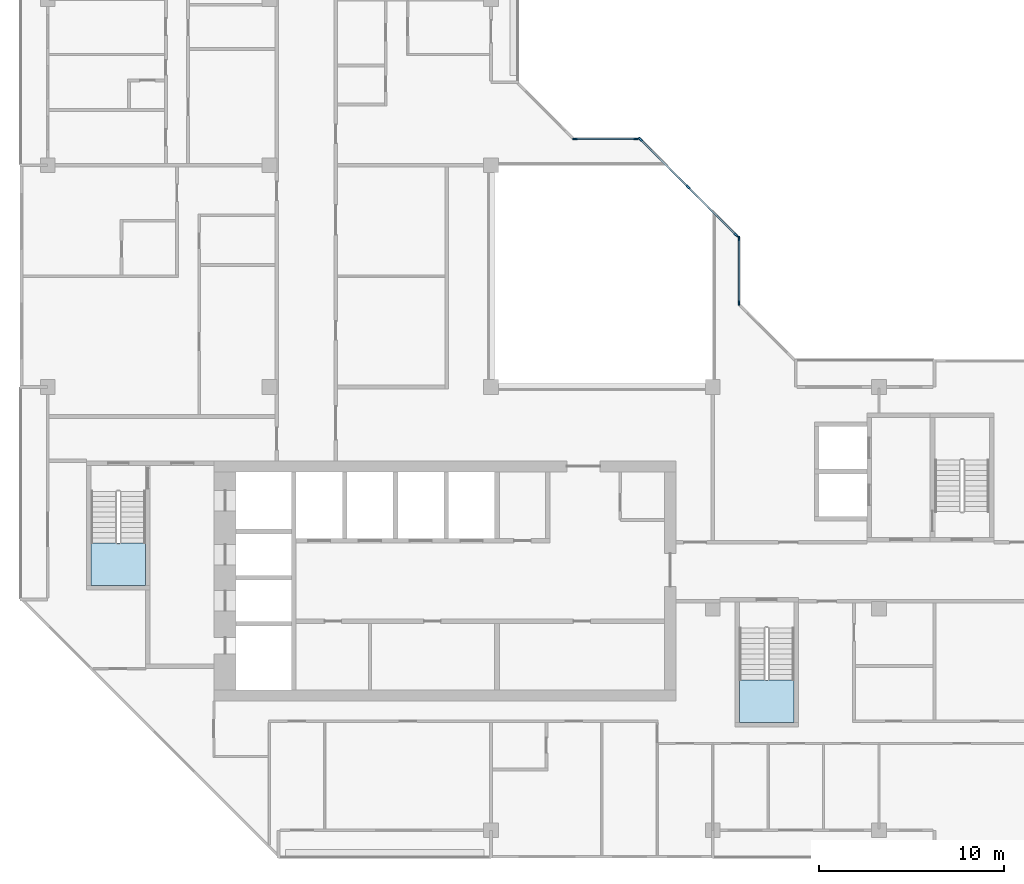
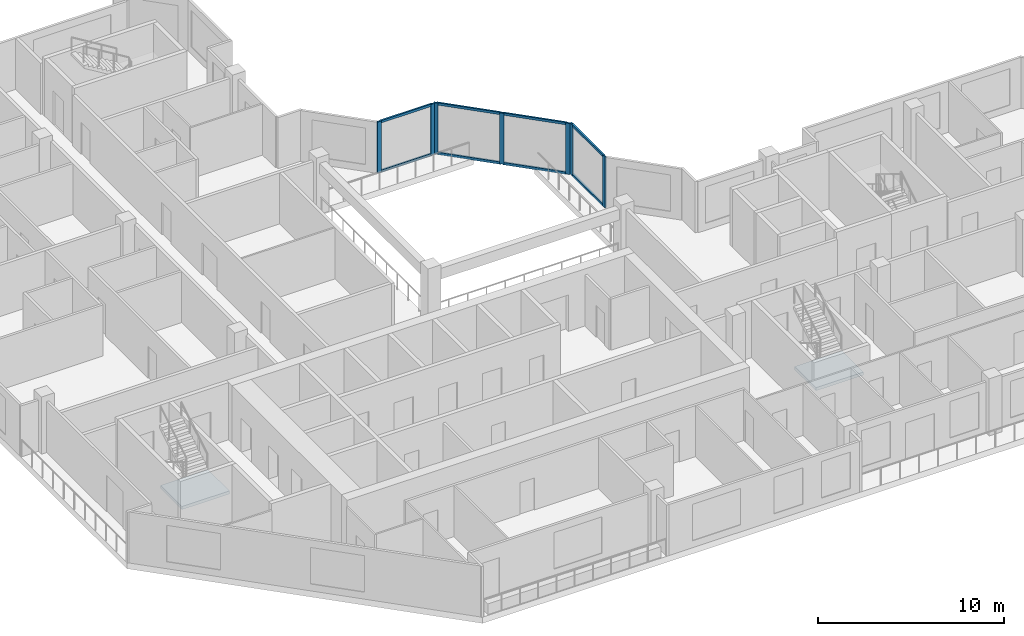
# One storey, part 2 of 13: 15 members, 2 slabs, 5 elements without a shape of their own.
"""IFC4 building model written with IfcOpenShell, lengths in metres."""

from ifc_helpers import new_model, si_unit, direction, frame, origin, origin_2d, place, context, subcontext, project, spatial, polyline, rectangle, outline, extrude, material, layer, layer_set, material_profile, profile_set, type_object, element, aggregate, save


model = new_model("IFC4")

# Units and contexts
model_context = context("Model", 3, precision=1e-05, world=origin(), true_north=direction((0.0, 1.0)))
body_context = subcontext(model_context, "Body", "Model", "MODEL_VIEW")
ifc_project = project(units=[si_unit("LENGTHUNIT", "METRE"), si_unit("AREAUNIT", "SQUARE_METRE"), si_unit("VOLUMEUNIT", "CUBIC_METRE"), si_unit("PLANEANGLEUNIT", "RADIAN"), si_unit("MASSUNIT", "GRAM", prefix="KILO")], contexts=[model_context])

# Site, building, storey
site_placement = place(None, origin())
site = spatial("IfcSite", under=ifc_project, at=site_placement, CompositionType="ELEMENT")
building_placement = place(site_placement, origin())
building = spatial("IfcBuilding", under=site, at=building_placement, Name="Chenar Terraces", CompositionType="ELEMENT")
storey_placement = place(building_placement, frame((0.0, 0.0, 299.64990234375)))
storey = spatial("IfcBuildingStorey", under=building, at=storey_placement, Name="L70", CompositionType="ELEMENT", Elevation=299.64990234375)

# Curtain wall, members
ifc_material_1 = material(Name="Aluminium framed glazing", Category="aluminium")
ifc_layer_1 = layer(ifc_material_1, 0.14990234375)
ifc_layer_set_1 = layer_set([ifc_layer_1], Name="Aluminium framed glazing")
curtain_wall_type = type_object("IfcCurtainWallType", Name="Atrium upper-zone curtain wall", PredefinedType="NOTDEFINED", material=ifc_layer_set_1)
placement_1 = place(storey_placement, origin())
curtain_wall_1 = element("IfcCurtainWall", 1, at=placement_1, inside=storey, type_object=curtain_wall_type, Name="Atrium upper-zone curtain wall", PredefinedType="NOTDEFINED")
ifc_material_2 = material(Name="Aluminium", Category="aluminium")
ifc_material_profile_1 = material_profile(ifc_material_2, rectangle(XDim=0.10009765625, YDim=0.239990234375, at=origin_2d()), Name="Atrium upper-zone glazing mullion 100 x 240")
ifc_profile_set_1 = profile_set([ifc_material_profile_1], Name="Aluminium")
member_type_1 = type_object("IfcMemberType", Name="Atrium upper-zone glazing mullion 100 x 240", PredefinedType="MULLION", material=ifc_profile_set_1)
member_1_placement = place(storey_placement, frame((37.425048828125, 28.550048828125, 0.0), z_axis=(0.0, 0.0, 1.0), x_axis=(-1.0, 0.0, 0.0)))
member_1 = element("IfcMember", 2, at=member_1_placement, type_object=member_type_1, Name="CW8-1 mullion 1", PredefinedType="MULLION", context=body_context, shape_type="SweptSolid", body=[
    extrude(rectangle(XDim=0.10009765625, YDim=0.239990234375, at=origin_2d()), origin(), (0.0, 0.0, 1.0), 3.35009765625),
])
member_2_placement = place(storey_placement, frame((37.425048828125, 32.050048828125, 0.0), z_axis=(0.0, 0.0, 1.0), x_axis=(-1.0, 0.0, 0.0)))
member_2 = element("IfcMember", 3, at=member_2_placement, type_object=member_type_1, Name="CW8-1 mullion 2", PredefinedType="MULLION", context=body_context, shape_type="SweptSolid", body=[
    extrude(rectangle(XDim=0.10009765625, YDim=0.239990234375, at=origin_2d()), origin(), (0.0, 0.0, 1.0), 3.35009765625),
])

curtain_wall_2 = element("IfcCurtainWall", 4, at=placement_1, inside=storey, type_object=curtain_wall_type, Name="Atrium upper-zone curtain wall", PredefinedType="NOTDEFINED")
member_3_placement = place(storey_placement, frame((37.270263671875, 32.2236328125, 0.0), z_axis=(0.0, 0.0, 1.0), x_axis=(-0.707106781187, -0.707106781187, 0.0)))
member_3 = element("IfcMember", 5, at=member_3_placement, type_object=member_type_1, Name="CW8-2 mullion 1", PredefinedType="MULLION", context=body_context, shape_type="SweptSolid", body=[
    extrude(rectangle(XDim=0.10009765625, YDim=0.239990234375, at=origin_2d()), origin(), (0.0, 0.0, 1.0), 3.35009765625),
])
member_4_placement = place(storey_placement, frame((34.67626953125, 34.817626953125, 0.0), z_axis=(0.0, 0.0, 1.0), x_axis=(-0.707106781187, -0.707106781187, 0.0)))
member_4 = element("IfcMember", 6, at=member_4_placement, type_object=member_type_1, Name="CW8-2 mullion 2", PredefinedType="MULLION", context=body_context, shape_type="SweptSolid", body=[
    extrude(rectangle(XDim=0.10009765625, YDim=0.239990234375, at=origin_2d()), origin(), (0.0, 0.0, 1.0), 3.35009765625),
])
member_5_placement = place(storey_placement, frame((32.082275390625, 37.41162109375, 0.0), z_axis=(0.0, 0.0, 1.0), x_axis=(-0.707106781187, -0.707106781187, 0.0)))
member_5 = element("IfcMember", 7, at=member_5_placement, type_object=member_type_1, Name="CW8-2 mullion 3", PredefinedType="MULLION", context=body_context, shape_type="SweptSolid", body=[
    extrude(rectangle(XDim=0.10009765625, YDim=0.239990234375, at=origin_2d()), origin(), (0.0, 0.0, 1.0), 3.35009765625),
])

curtain_wall_3 = element("IfcCurtainWall", 8, at=placement_1, inside=storey, type_object=curtain_wall_type, Name="Atrium upper-zone curtain wall", PredefinedType="NOTDEFINED")
member_6_placement = place(storey_placement, frame((31.85009765625, 37.425048828125, 0.0), z_axis=(0.0, 0.0, 1.0), x_axis=(0.0, -1.0, 0.0)))
member_6 = element("IfcMember", 9, at=member_6_placement, type_object=member_type_1, Name="CW8-3 mullion 1", PredefinedType="MULLION", context=body_context, shape_type="SweptSolid", body=[
    extrude(rectangle(XDim=0.10009765625, YDim=0.239990234375, at=origin_2d()), origin(), (0.0, 0.0, 1.0), 3.35009765625),
])
member_7_placement = place(storey_placement, frame((28.550048828125, 37.425048828125, 0.0), z_axis=(0.0, 0.0, 1.0), x_axis=(0.0, -1.0, 0.0)))
member_7 = element("IfcMember", 10, at=member_7_placement, type_object=member_type_1, Name="CW8-3 mullion 2", PredefinedType="MULLION", context=body_context, shape_type="SweptSolid", body=[
    extrude(rectangle(XDim=0.10009765625, YDim=0.239990234375, at=origin_2d()), origin(), (0.0, 0.0, 1.0), 3.35009765625),
])

# Member
ifc_material_3 = material(Name="Aluminium", Category="aluminium")
ifc_material_profile_2 = material_profile(ifc_material_3, rectangle(XDim=0.10009765625, YDim=0.159912109375, at=origin_2d()), Name="Atrium upper-zone glazing transom 100 x 160")
ifc_profile_set_2 = profile_set([ifc_material_profile_2], Name="Aluminium")
member_type_2 = type_object("IfcMemberType", Name="Atrium upper-zone glazing transom 100 x 160", PredefinedType="USERDEFINED", material=ifc_profile_set_2)
member_8_placement = place(storey_placement, frame((37.425048828125, 28.60009765625, 0.050048828125), z_axis=(0.0, 1.0, 0.0), x_axis=(-1.0, 0.0, 0.0)))
member_8 = element("IfcMember", 11, at=member_8_placement, type_object=member_type_2, Name="CW8-1 transom 1.1", ObjectType="TRANSOM", PredefinedType="USERDEFINED", context=body_context, shape_type="SweptSolid", body=[
    extrude(rectangle(XDim=0.10009765625, YDim=0.159912109375, at=origin_2d()), origin(), (0.0, 0.0, 1.0), 3.39990234375),
])

member_9_placement = place(storey_placement, frame((37.425048828125, 28.60009765625, 3.300048828125), z_axis=(0.0, 1.0, 0.0), x_axis=(-1.0, 0.0, 0.0)))
member_9 = element("IfcMember", 12, at=member_9_placement, type_object=member_type_2, Name="CW8-1 transom 1.2", ObjectType="TRANSOM", PredefinedType="USERDEFINED", context=body_context, shape_type="SweptSolid", body=[
    extrude(rectangle(XDim=0.10009765625, YDim=0.159912109375, at=origin_2d()), origin(), (0.0, 0.0, 1.0), 3.39990234375),
])

aggregate(curtain_wall_1, [member_1, member_2, member_8, member_9])

member_10_placement = place(storey_placement, frame((37.23486328125, 32.259033203125, 0.050048828125), z_axis=(-0.707106781187, 0.707106781187, 0.0), x_axis=(-0.707106781187, -0.707106781187, 0.0)))
member_10 = element("IfcMember", 13, at=member_10_placement, type_object=member_type_2, Name="CW8-2 transom 1.1", ObjectType="TRANSOM", PredefinedType="USERDEFINED", context=body_context, shape_type="SweptSolid", body=[
    extrude(rectangle(XDim=0.10009765625, YDim=0.159912109375, at=origin_2d()), origin(), (0.0, 0.0, 1.0), 3.568359375),
])

member_11_placement = place(storey_placement, frame((37.23486328125, 32.259033203125, 3.300048828125), z_axis=(-0.707106781187, 0.707106781187, 0.0), x_axis=(-0.707106781187, -0.707106781187, 0.0)))
member_11 = element("IfcMember", 14, at=member_11_placement, type_object=member_type_2, Name="CW8-2 transom 1.2", ObjectType="TRANSOM", PredefinedType="USERDEFINED", context=body_context, shape_type="SweptSolid", body=[
    extrude(rectangle(XDim=0.10009765625, YDim=0.159912109375, at=origin_2d()), origin(), (0.0, 0.0, 1.0), 3.568359375),
])

member_12_placement = place(storey_placement, frame((34.640869140625, 34.85302734375, 0.050048828125), z_axis=(-0.707106781187, 0.707106781187, 0.0), x_axis=(-0.707106781187, -0.707106781187, 0.0)))
member_12 = element("IfcMember", 15, at=member_12_placement, type_object=member_type_2, Name="CW8-2 transom 2.1", ObjectType="TRANSOM", PredefinedType="USERDEFINED", context=body_context, shape_type="SweptSolid", body=[
    extrude(rectangle(XDim=0.10009765625, YDim=0.159912109375, at=origin_2d()), origin(), (0.0, 0.0, 1.0), 3.568359375),
])

member_13_placement = place(storey_placement, frame((34.640869140625, 34.85302734375, 3.300048828125), z_axis=(-0.707106781187, 0.707106781187, 0.0), x_axis=(-0.707106781187, -0.707106781187, 0.0)))
member_13 = element("IfcMember", 16, at=member_13_placement, type_object=member_type_2, Name="CW8-2 transom 2.2", ObjectType="TRANSOM", PredefinedType="USERDEFINED", context=body_context, shape_type="SweptSolid", body=[
    extrude(rectangle(XDim=0.10009765625, YDim=0.159912109375, at=origin_2d()), origin(), (0.0, 0.0, 1.0), 3.568359375),
])

aggregate(curtain_wall_2, [member_3, member_4, member_5, member_10, member_11, member_12, member_13])

member_14_placement = place(storey_placement, frame((31.800048828125, 37.425048828125, 0.050048828125), z_axis=(-1.0, 0.0, 0.0), x_axis=(0.0, -1.0, 0.0)))
member_14 = element("IfcMember", 17, at=member_14_placement, type_object=member_type_2, Name="CW8-3 transom 1.1", ObjectType="TRANSOM", PredefinedType="USERDEFINED", context=body_context, shape_type="SweptSolid", body=[
    extrude(rectangle(XDim=0.10009765625, YDim=0.159912109375, at=origin_2d()), origin(), (0.0, 0.0, 1.0), 3.199951171875),
])

member_15_placement = place(storey_placement, frame((31.800048828125, 37.425048828125, 3.300048828125), z_axis=(-1.0, 0.0, 0.0), x_axis=(0.0, -1.0, 0.0)))
member_15 = element("IfcMember", 18, at=member_15_placement, type_object=member_type_2, Name="CW8-3 transom 1.2", ObjectType="TRANSOM", PredefinedType="USERDEFINED", context=body_context, shape_type="SweptSolid", body=[
    extrude(rectangle(XDim=0.10009765625, YDim=0.159912109375, at=origin_2d()), origin(), (0.0, 0.0, 1.0), 3.199951171875),
])

aggregate(curtain_wall_3, [member_6, member_7, member_14, member_15])

# Stair, slab
ifc_material_4 = material(Name="Reinforced concrete C40/50", Category="concrete")
stair_type = type_object("IfcStairType", Name="Core stair 1400 half-turn", PredefinedType="HALF_TURN_STAIR", material=ifc_material_4)
stair_1 = element("IfcStair", 19, at=placement_1, inside=storey, type_object=stair_type, Name="L70 Stair 1", PredefinedType="HALF_TURN_STAIR")
ifc_material_5 = material(Name="Reinforced concrete C40/50", Category="concrete")
ifc_layer_2 = layer(ifc_material_5, 0.199951171875)
ifc_layer_set_2 = layer_set([ifc_layer_2], Name="Reinforced concrete C40/50")
slab_type = type_object("IfcSlabType", Name="Core stair landing 200", PredefinedType="LANDING", material=ifc_layer_set_2)
placement_2 = place(storey_placement, frame((0.0, 0.0, 1.675048828125)))
slab_1 = element("IfcSlab", 20, at=placement_2, type_object=slab_type, Name="ST1 landing 1", PredefinedType="LANDING", context=body_context, shape_type="SweptSolid", body=[
    extrude(outline(polyline([(2.35009765625, 15.550048828125), (2.35009765625, 13.25), (5.300048828125, 13.25), (5.300048828125, 15.550048828125), (2.35009765625, 15.550048828125)])), origin(), (0.0, 0.0, 1.0), 0.199951171875),
])
aggregate(stair_1, [slab_1])

stair_2 = element("IfcStair", 21, at=placement_1, inside=storey, type_object=stair_type, Name="L70 Stair 2", PredefinedType="HALF_TURN_STAIR")
slab_2 = element("IfcSlab", 22, at=placement_2, type_object=slab_type, Name="ST2 landing 1", PredefinedType="LANDING", context=body_context, shape_type="SweptSolid", body=[
    extrude(outline(polyline([(37.449951171875, 8.14990234375), (37.449951171875, 5.85009765625), (40.39990234375, 5.85009765625), (40.39990234375, 8.14990234375), (37.449951171875, 8.14990234375)])), origin(), (0.0, 0.0, 1.0), 0.199951171875),
])
aggregate(stair_2, [slab_2])

save(model, "model.ifc")
